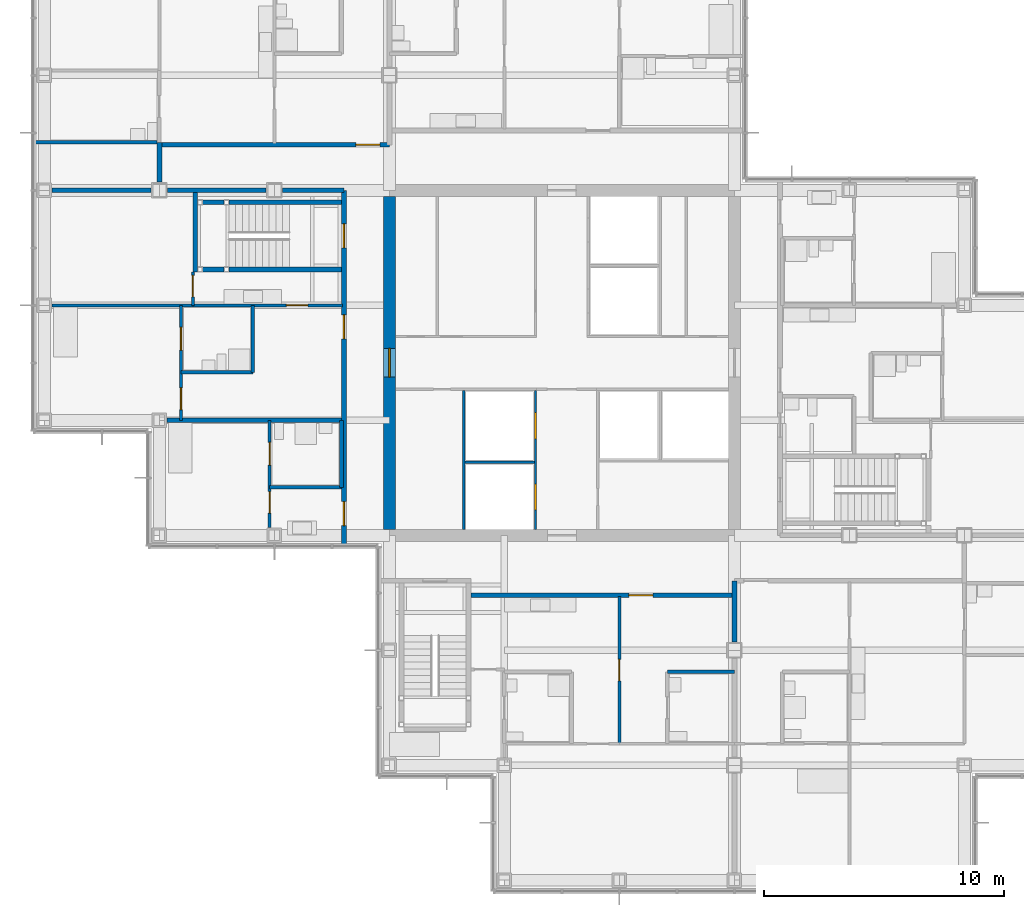
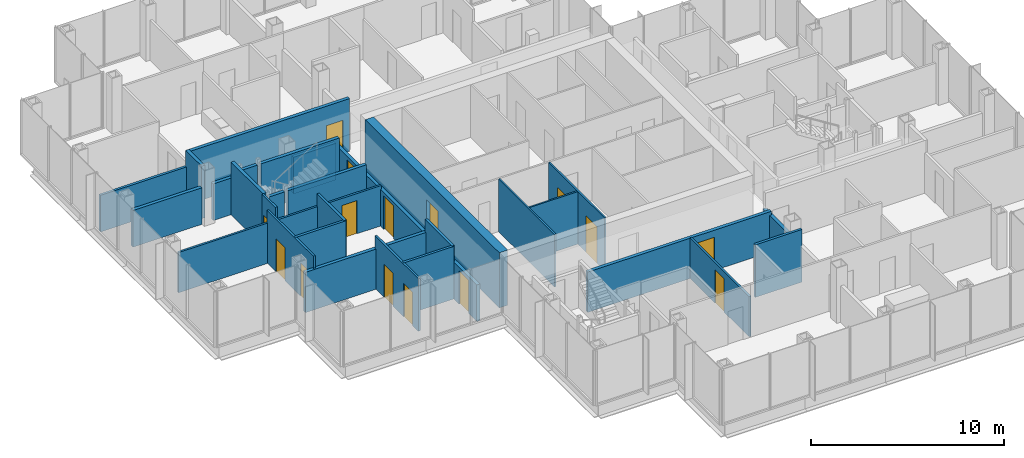
# One storey, part 13 of 19: 30 walls, 15 doors, 15 openings.
"""IFC4 building model written with IfcOpenShell, lengths in metres."""

from ifc_helpers import new_model, si_unit, direction, frame, frame_2d, origin, place, context, subcontext, project, spatial, rectangle, extrude, material, layer, layer_set, type_object, element, fill, save


model = new_model("IFC4")

# Units and contexts
model_context = context("Model", 3, precision=1e-05, world=origin(), true_north=direction((0.0, 1.0)))
body_context = subcontext(model_context, "Body", "Model", "MODEL_VIEW")
ifc_project = project(units=[si_unit("LENGTHUNIT", "METRE"), si_unit("AREAUNIT", "SQUARE_METRE"), si_unit("VOLUMEUNIT", "CUBIC_METRE"), si_unit("PLANEANGLEUNIT", "RADIAN"), si_unit("MASSUNIT", "GRAM", prefix="KILO")], contexts=[model_context])

# Site, building, storey
site_placement = place(None, origin())
site = spatial("IfcSite", under=ifc_project, at=site_placement, CompositionType="ELEMENT")
building_placement = place(site_placement, origin())
building = spatial("IfcBuilding", under=site, at=building_placement, Name="Kvirike Care Tower", CompositionType="ELEMENT")
storey_placement = place(building_placement, frame((0.0, 0.0, 129.5)))
storey = spatial("IfcBuildingStorey", under=building, at=storey_placement, Name="L35", CompositionType="ELEMENT", Elevation=129.5)

# Walls
ifc_material_1 = material(Name="Moisture-resistant board partition", Category="gypsum")
ifc_layer_1 = layer(ifc_material_1, 0.14990234375)
ifc_layer_set_1 = layer_set([ifc_layer_1], Name="BATHROOM WALL 150")
wall_type_1 = type_object("IfcWallType", Name="BATHROOM WALL 150", PredefinedType="PARTITIONING", material=ifc_layer_set_1)
wall_1_placement = place(storey_placement, frame((5.699951171875, 35.60009765625, 0.0), z_axis=(0.0, 0.0, 1.0), x_axis=(1.0, 0.0, 0.0)))
element("IfcWall", 1, at=wall_1_placement, inside=storey, type_object=wall_type_1, Name="Bathroom Wall 150 L35", PredefinedType="PARTITIONING", context=body_context, shape_type="SweptSolid", body=[
    extrude(rectangle(XDim=3.0, YDim=0.14990234375, at=frame_2d((1.5, 0.0))), origin(), (0.0, 0.0, 1.0), 3.330078125),
])
wall_2_placement = place(storey_placement, frame((8.699951171875, 38.39990234375, 0.0), z_axis=(0.0, 0.0, 1.0), x_axis=(0.0, -1.0, 0.0)))
element("IfcWall", 2, at=wall_2_placement, inside=storey, type_object=wall_type_1, Name="Bathroom Wall 150 L35", PredefinedType="PARTITIONING", context=body_context, shape_type="SweptSolid", body=[
    extrude(rectangle(XDim=2.7998046875, YDim=0.14990234375, at=frame_2d((1.39990234375, 0.0))), origin(), (0.0, 0.0, 1.0), 3.330078125),
])
wall_3_placement = place(storey_placement, frame((9.39990234375, 30.800048828125, 0.0), z_axis=(0.0, 0.0, 1.0), x_axis=(1.0, 0.0, 0.0)))
element("IfcWall", 3, at=wall_3_placement, inside=storey, type_object=wall_type_1, Name="Bathroom Wall 150 L35", PredefinedType="PARTITIONING", context=body_context, shape_type="SweptSolid", body=[
    extrude(rectangle(XDim=3.0, YDim=0.14990234375, at=frame_2d((1.5, 0.0))), origin(), (0.0, 0.0, 1.0), 3.330078125),
])
for number, where, z_axis, x_axis, name in (
    (4, (12.39990234375, 33.60009765625, 0.0), (0.0, 0.0, 1.0), (0.0, -1.0, 0.0), "Bathroom Wall 150 L35"),
    (5, (26.0, 23.10009765625, 0.0), (0.0, 0.0, 1.0), (1.0, 0.0, 0.0), "Bathroom Wall 150 L35"),
):
    element("IfcWall", number, at=place(storey_placement, frame(where, z_axis=z_axis, x_axis=x_axis)), inside=storey, type_object=wall_type_1, Name=name, PredefinedType="PARTITIONING", context=body_context, shape_type="SweptSolid", body=[
        extrude(rectangle(XDim=2.800048828125, YDim=0.14990234375, at=frame_2d((1.39990234375, 0.0))), origin(), (0.0, 0.0, 1.0), 3.330078125),
    ])
wall_4_placement = place(storey_placement, frame((4.699951171875, 45.199951171875, 0.0), z_axis=(0.0, 0.0, 1.0), x_axis=(-1.0, 0.0, 0.0)))
element("IfcWall", 6, at=wall_4_placement, inside=storey, type_object=wall_type_1, Name="Bathroom Wall 150 L35", PredefinedType="PARTITIONING", context=body_context, shape_type="SweptSolid", body=[
    extrude(rectangle(XDim=5.139892578125, YDim=0.14990234375, at=frame_2d((2.56982421875, 0.0))), origin(), (0.0, 0.0, 1.0), 2.320068359375),
])

# Wall, opening, door
ifc_material_2 = material(Name="Concrete C50/60", Category="concrete")
ifc_layer_2 = layer(ifc_material_2, 0.5)
ifc_layer_set_2 = layer_set([ifc_layer_2], Name="CORE WALL 500 C50-60")
wall_type_2 = type_object("IfcWallType", Name="CORE WALL 500 C50-60", PredefinedType="SHEAR", material=ifc_layer_set_2)
wall_5_placement = place(storey_placement, frame((14.39990234375, 42.949951171875, -0.169921875), z_axis=(0.0, 0.0, 1.0), x_axis=(0.0, -1.0, 0.0)))
wall_5 = element("IfcWall", 7, at=wall_5_placement, inside=storey, type_object=wall_type_2, Name="Core wall W L35", PredefinedType="SHEAR", context=body_context, shape_type="SweptSolid", body=[
    extrude(rectangle(XDim=13.89990234375, YDim=0.5, at=frame_2d((6.949951171875, 0.0))), origin(), (0.0, 0.0, 1.0), 3.5),
])
opening_1_placement = place(wall_5_placement, frame((6.35009765625, 0.0, 0.169921875)))
opening_1 = element("IfcOpeningElement", 8, at=opening_1_placement, cuts=wall_5, Name="Opening 35-057", PredefinedType="OPENING", context=body_context, shape_type="SweptSolid", body=[
    extrude(rectangle(XDim=1.199951171875, YDim=2.10009765625, at=frame_2d((0.60009765625, 1.050048828125))), frame((0.0, 0.260498046875, 0.0), z_axis=(0.0, -1.0, 0.0), x_axis=(1.0, 0.0, 0.0)), (0.0, 0.0, 1.0), 0.52099609375),
])
ifc_material_3 = material(Name="Timber door set", Category="wood")
door_type_1 = type_object("IfcDoorType", Name="CORE DOOR 1200", OperationType="SINGLE_SWING_LEFT", PredefinedType="DOOR", material=ifc_material_3)
door_1_placement = place(opening_1_placement, origin())
door_1 = element("IfcDoor", 9, at=door_1_placement, inside=storey, type_object=door_type_1, Name="Core door W L35", OperationType="SINGLE_SWING_LEFT", OverallHeight=2.10009765625, OverallWidth=1.199951171875, PredefinedType="DOOR", context=body_context, shape_type="SweptSolid", body=[
    extrude(rectangle(XDim=1.199951171875, YDim=2.10009765625, at=frame_2d((0.60009765625, 1.050048828125))), frame((0.0, 0.02685546875, 0.0), z_axis=(0.0, -1.0, 0.0), x_axis=(1.0, 0.0, 0.0)), (0.0, 0.0, 1.0), 0.053955078125),
])
fill(opening_1, door_1)

# Wall, openings, doors
ifc_material_4 = material(Name="Plasterboard corridor wall", Category="gypsum")
ifc_layer_3 = layer(ifc_material_4, 0.199951171875)
ifc_layer_set_3 = layer_set([ifc_layer_3], Name="CORRIDOR WALL 200")
wall_type_3 = type_object("IfcWallType", Name="CORRIDOR WALL 200", PredefinedType="PARTITIONING", material=ifc_layer_set_3)
wall_6_placement = place(storey_placement, frame((12.5, 43.199951171875, 0.0), z_axis=(0.0, 0.0, 1.0), x_axis=(0.0, -1.0, 0.0)))
wall_6 = element("IfcWall", 10, at=wall_6_placement, inside=storey, type_object=wall_type_3, Name="Corridor Wall 200 L35", PredefinedType="PARTITIONING", context=body_context, shape_type="SweptSolid", body=[
    extrude(rectangle(XDim=14.83984375, YDim=0.199951171875, at=frame_2d((7.419921875, 0.0))), origin(), (0.0, 0.0, 1.0), 2.320068359375),
])
opening_2_placement = place(wall_6_placement, frame((1.39990234375, 0.0, 0.0)))
opening_2 = element("IfcOpeningElement", 11, at=opening_2_placement, cuts=wall_6, Name="Opening 35-007", PredefinedType="OPENING", context=body_context, shape_type="SweptSolid", body=[
    extrude(rectangle(XDim=1.0, YDim=2.10009765625, at=frame_2d((0.5, 1.050048828125))), frame((0.0, 0.110595703125, 0.0), z_axis=(0.0, -1.0, 0.0), x_axis=(1.0, 0.0, 0.0)), (0.0, 0.0, 1.0), 0.220947265625),
])
opening_3_placement = place(wall_6_placement, frame((5.199951171875, 0.0, 0.0)))
opening_3 = element("IfcOpeningElement", 12, at=opening_3_placement, cuts=wall_6, Name="Opening 35-008", PredefinedType="OPENING", context=body_context, shape_type="SweptSolid", body=[
    extrude(rectangle(XDim=1.0, YDim=2.10009765625, at=frame_2d((0.5, 1.050048828125))), frame((0.0, 0.110595703125, 0.0), z_axis=(0.0, -1.0, 0.0), x_axis=(1.0, 0.0, 0.0)), (0.0, 0.0, 1.0), 0.220947265625),
])
opening_4_placement = place(wall_6_placement, frame((13.0, 0.0, 0.0)))
opening_4 = element("IfcOpeningElement", 13, at=opening_4_placement, cuts=wall_6, Name="Opening 35-009", PredefinedType="OPENING", context=body_context, shape_type="SweptSolid", body=[
    extrude(rectangle(XDim=1.0, YDim=2.10009765625, at=frame_2d((0.5, 1.050048828125))), frame((0.0, 0.110595703125, 0.0), z_axis=(0.0, -1.0, 0.0), x_axis=(1.0, 0.0, 0.0)), (0.0, 0.0, 1.0), 0.220947265625),
])
ifc_material_5 = material(Name="Timber door set", Category="wood")
door_type_2 = type_object("IfcDoorType", Name="FLAT ENTRANCE DOOR 1000", OperationType="SINGLE_SWING_LEFT", PredefinedType="DOOR", material=ifc_material_5)
door_2_placement = place(opening_3_placement, frame((1.0, 0.0, 0.0), z_axis=(0.0, 0.0, 1.0), x_axis=(-1.0, 0.0, 0.0)))
door_2 = element("IfcDoor", 14, at=door_2_placement, inside=storey, type_object=door_type_2, Name="Assisted living suite entrance", OperationType="SINGLE_SWING_LEFT", OverallHeight=2.10009765625, OverallWidth=1.0, PredefinedType="DOOR", context=body_context, shape_type="SweptSolid", body=[
    extrude(rectangle(XDim=1.0, YDim=2.10009765625, at=frame_2d((0.5, 1.050048828125))), frame((0.0, 0.02685546875, 0.0), z_axis=(0.0, -1.0, 0.0), x_axis=(1.0, 0.0, 0.0)), (0.0, 0.0, 1.0), 0.053955078125),
])
fill(opening_3, door_2)
door_3_placement = place(opening_4_placement, frame((1.0, 0.0, 0.0), z_axis=(0.0, 0.0, 1.0), x_axis=(-1.0, 0.0, 0.0)))
door_3 = element("IfcDoor", 15, at=door_3_placement, inside=storey, type_object=door_type_2, Name="Assisted living suite entrance", OperationType="SINGLE_SWING_RIGHT", OverallHeight=2.10009765625, OverallWidth=1.0, PredefinedType="DOOR", context=body_context, shape_type="SweptSolid", body=[
    extrude(rectangle(XDim=1.0, YDim=2.10009765625, at=frame_2d((0.5, 1.050048828125))), frame((0.0, 0.02685546875, 0.0), z_axis=(0.0, -1.0, 0.0), x_axis=(1.0, 0.0, 0.0)), (0.0, 0.0, 1.0), 0.053955078125),
])
fill(opening_4, door_3)
ifc_material_6 = material(Name="Timber door set", Category="wood")
door_type_3 = type_object("IfcDoorType", Name="STAIR DOOR 1000", OperationType="SINGLE_SWING_LEFT", PredefinedType="DOOR", material=ifc_material_6)
door_4_placement = place(opening_2_placement, frame((1.0, 0.0, 0.0), z_axis=(0.0, 0.0, 1.0), x_axis=(-1.0, 0.0, 0.0)))
door_4 = element("IfcDoor", 16, at=door_4_placement, inside=storey, type_object=door_type_3, Name="Stair 1 door", OperationType="SINGLE_SWING_LEFT", OverallHeight=2.10009765625, OverallWidth=1.0, PredefinedType="DOOR", context=body_context, shape_type="SweptSolid", body=[
    extrude(rectangle(XDim=1.0, YDim=2.10009765625, at=frame_2d((0.5, 1.050048828125))), frame((0.0, 0.031982421875, 0.0), z_axis=(0.0, -1.0, 0.0), x_axis=(1.0, 0.0, 0.0)), (0.0, 0.0, 1.0), 0.06396484375),
])
fill(opening_2, door_4)

# Wall, opening, door
wall_7_placement = place(storey_placement, frame((14.39990234375, 45.10009765625, 0.0), z_axis=(0.0, 0.0, 1.0), x_axis=(-1.0, 0.0, 0.0)))
wall_7 = element("IfcWall", 17, at=wall_7_placement, inside=storey, type_object=wall_type_3, Name="Corridor Wall 200 L35", PredefinedType="PARTITIONING", context=body_context, shape_type="SweptSolid", body=[
    extrude(rectangle(XDim=9.599853515625, YDim=0.199951171875, at=frame_2d((4.7998046875, 0.0))), origin(), (0.0, 0.0, 1.0), 3.330078125),
])
opening_5_placement = place(wall_7_placement, frame((0.39990234375, 0.0, 0.0)))
opening_5 = element("IfcOpeningElement", 18, at=opening_5_placement, cuts=wall_7, Name="Opening 35-015", PredefinedType="OPENING", context=body_context, shape_type="SweptSolid", body=[
    extrude(rectangle(XDim=1.0, YDim=2.10009765625, at=frame_2d((0.5, 1.050048828125))), frame((0.0, 0.110595703125, 0.0), z_axis=(0.0, -1.0, 0.0), x_axis=(1.0, 0.0, 0.0)), (0.0, 0.0, 1.0), 0.220947265625),
])
door_5_placement = place(opening_5_placement, frame((1.0, 0.0, 0.0), z_axis=(0.0, 0.0, 1.0), x_axis=(-1.0, 0.0, 0.0)))
door_5 = element("IfcDoor", 19, at=door_5_placement, inside=storey, type_object=door_type_2, Name="Assisted living suite for couples entrance", OperationType="SINGLE_SWING_LEFT", OverallHeight=2.10009765625, OverallWidth=1.0, PredefinedType="DOOR", context=body_context, shape_type="SweptSolid", body=[
    extrude(rectangle(XDim=1.0, YDim=2.10009765625, at=frame_2d((0.5, 1.050048828125))), frame((0.0, 0.02685546875, 0.0), z_axis=(0.0, -1.0, 0.0), x_axis=(1.0, 0.0, 0.0)), (0.0, 0.0, 1.0), 0.053955078125),
])
fill(opening_5, door_5)

# Wall
wall_8_placement = place(storey_placement, frame((4.800048828125, 45.199951171875, 0.0), z_axis=(0.0, 0.0, 1.0), x_axis=(0.0, -1.0, 0.0)))
element("IfcWall", 20, at=wall_8_placement, inside=storey, type_object=wall_type_3, Name="Corridor Wall 200 L35", PredefinedType="PARTITIONING", context=body_context, shape_type="SweptSolid", body=[
    extrude(rectangle(XDim=1.655029296875, YDim=0.199951171875, at=frame_2d((0.82763671875, 0.0))), origin(), (0.0, 0.0, 1.0), 3.330078125),
])

# Wall, opening, door
wall_9_placement = place(storey_placement, frame((17.800048828125, 26.300048828125, 0.0), z_axis=(0.0, 0.0, 1.0), x_axis=(1.0, 0.0, 0.0)))
wall_9 = element("IfcWall", 21, at=wall_9_placement, inside=storey, type_object=wall_type_3, Name="Corridor Wall 200 L35", PredefinedType="PARTITIONING", context=body_context, shape_type="SweptSolid", body=[
    extrude(rectangle(XDim=11.0, YDim=0.199951171875, at=frame_2d((5.5, 0.0))), origin(), (0.0, 0.0, 1.0), 2.550048828125),
])
opening_6_placement = place(wall_9_placement, frame((6.60009765625, 0.0, 0.0)))
opening_6 = element("IfcOpeningElement", 22, at=opening_6_placement, cuts=wall_9, Name="Opening 35-022", PredefinedType="OPENING", context=body_context, shape_type="SweptSolid", body=[
    extrude(rectangle(XDim=1.0, YDim=2.10009765625, at=frame_2d((0.5, 1.050048828125))), frame((0.0, 0.110595703125, 0.0), z_axis=(0.0, -1.0, 0.0), x_axis=(1.0, 0.0, 0.0)), (0.0, 0.0, 1.0), 0.220947265625),
])
door_6_placement = place(opening_6_placement, frame((1.0, 0.0, 0.0), z_axis=(0.0, 0.0, 1.0), x_axis=(-1.0, 0.0, 0.0)))
door_6 = element("IfcDoor", 23, at=door_6_placement, inside=storey, type_object=door_type_2, Name="Assisted living suite for couples entrance", OperationType="SINGLE_SWING_LEFT", OverallHeight=2.10009765625, OverallWidth=1.0, PredefinedType="DOOR", context=body_context, shape_type="SweptSolid", body=[
    extrude(rectangle(XDim=1.0, YDim=2.10009765625, at=frame_2d((0.5, 1.050048828125))), frame((0.0, 0.02685546875, 0.0), z_axis=(0.0, -1.0, 0.0), x_axis=(1.0, 0.0, 0.0)), (0.0, 0.0, 1.0), 0.053955078125),
])
fill(opening_6, door_6)

ifc_material_7 = material(Name="Plasterboard partition", Category="gypsum")
ifc_layer_4 = layer(ifc_material_7, 0.1201171875)
ifc_layer_set_4 = layer_set([ifc_layer_4], Name="PARTITION 120")
wall_type_4 = type_object("IfcWallType", Name="PARTITION 120", PredefinedType="PARTITIONING", material=ifc_layer_set_4)
wall_10_placement = place(storey_placement, frame((6.199951171875, 38.39990234375, 0.0), z_axis=(0.0, 0.0, 1.0), x_axis=(1.0, 0.0, 0.0)))
wall_10 = element("IfcWall", 24, at=wall_10_placement, inside=storey, type_object=wall_type_4, Name="Partition 120 L35", PredefinedType="PARTITIONING", context=body_context, shape_type="SweptSolid", body=[
    extrude(rectangle(XDim=6.25, YDim=0.1201171875, at=frame_2d((3.125, 0.0))), origin(), (0.0, 0.0, 1.0), 2.550048828125),
])
opening_7_placement = place(wall_10_placement, frame((3.89990234375, 0.0, 0.0)))
opening_7 = element("IfcOpeningElement", 25, at=opening_7_placement, cuts=wall_10, Name="Opening 35-001", PredefinedType="OPENING", context=body_context, shape_type="SweptSolid", body=[
    extrude(rectangle(XDim=0.89990234375, YDim=2.10009765625, at=frame_2d((0.449951171875, 1.050048828125))), frame((0.0, 0.070556640625, 0.0), z_axis=(0.0, -1.0, 0.0), x_axis=(1.0, 0.0, 0.0)), (0.0, 0.0, 1.0), 0.14111328125),
])
ifc_material_8 = material(Name="Timber door set", Category="wood")
door_type_4 = type_object("IfcDoorType", Name="INTERNAL DOOR 900", OperationType="SINGLE_SWING_LEFT", PredefinedType="DOOR", material=ifc_material_8)
door_7_placement = place(opening_7_placement, origin())
door_7 = element("IfcDoor", 26, at=door_7_placement, inside=storey, type_object=door_type_4, Name="Hall door", OperationType="SINGLE_SWING_LEFT", OverallHeight=2.10009765625, OverallWidth=0.89990234375, PredefinedType="DOOR", context=body_context, shape_type="SweptSolid", body=[
    extrude(rectangle(XDim=0.89990234375, YDim=2.10009765625, at=frame_2d((0.449951171875, 1.050048828125))), frame((0.0, 0.02197265625, 0.0), z_axis=(0.0, -1.0, 0.0), x_axis=(1.0, 0.0, 0.0)), (0.0, 0.0, 1.0), 0.0439453125),
])
fill(opening_7, door_7)

wall_11_placement = place(storey_placement, frame((6.199951171875, 39.800048828125, 0.0), z_axis=(0.0, 0.0, 1.0), x_axis=(0.0, -1.0, 0.0)))
wall_11 = element("IfcWall", 27, at=wall_11_placement, inside=storey, type_object=wall_type_4, Name="Partition 120 L35", PredefinedType="PARTITIONING", context=body_context, shape_type="SweptSolid", body=[
    extrude(rectangle(XDim=1.400146484375, YDim=0.1201171875, at=frame_2d((0.7001953125, 0.0))), origin(), (0.0, 0.0, 1.0), 3.330078125),
])
opening_8_placement = place(wall_11_placement, frame((0.14990234375, 0.0, 0.0)))
opening_8 = element("IfcOpeningElement", 28, at=opening_8_placement, cuts=wall_11, Name="Opening 35-002", PredefinedType="OPENING", context=body_context, shape_type="SweptSolid", body=[
    extrude(rectangle(XDim=0.89990234375, YDim=2.10009765625, at=frame_2d((0.449951171875, 1.050048828125))), frame((0.0, 0.070556640625, 0.0), z_axis=(0.0, -1.0, 0.0), x_axis=(1.0, 0.0, 0.0)), (0.0, 0.0, 1.0), 0.14111328125),
])
door_8_placement = place(opening_8_placement, origin())
door_8 = element("IfcDoor", 29, at=door_8_placement, inside=storey, type_object=door_type_4, Name="Suite sitting room door", OperationType="SINGLE_SWING_RIGHT", OverallHeight=2.10009765625, OverallWidth=0.89990234375, PredefinedType="DOOR", context=body_context, shape_type="SweptSolid", body=[
    extrude(rectangle(XDim=0.89990234375, YDim=2.10009765625, at=frame_2d((0.449951171875, 1.050048828125))), frame((0.0, 0.02197265625, 0.0), z_axis=(0.0, -1.0, 0.0), x_axis=(1.0, 0.0, 0.0)), (0.0, 0.0, 1.0), 0.0439453125),
])
fill(opening_8, door_8)

# Wall, openings, doors
wall_12_placement = place(storey_placement, frame((5.699951171875, 38.39990234375, 0.0), z_axis=(0.0, 0.0, 1.0), x_axis=(0.0, -1.0, 0.0)))
wall_12 = element("IfcWall", 30, at=wall_12_placement, inside=storey, type_object=wall_type_4, Name="Partition 120 L35", PredefinedType="PARTITIONING", context=body_context, shape_type="SweptSolid", body=[
    extrude(rectangle(XDim=4.7998046875, YDim=0.1201171875, at=frame_2d((2.39990234375, 0.0))), origin(), (0.0, 0.0, 1.0), 3.330078125),
])
opening_9_placement = place(wall_12_placement, frame((3.449951171875, 0.0, 0.0)))
opening_9 = element("IfcOpeningElement", 31, at=opening_9_placement, cuts=wall_12, Name="Opening 35-003", PredefinedType="OPENING", context=body_context, shape_type="SweptSolid", body=[
    extrude(rectangle(XDim=0.89990234375, YDim=2.10009765625, at=frame_2d((0.449951171875, 1.050048828125))), frame((0.0, 0.070556640625, 0.0), z_axis=(0.0, -1.0, 0.0), x_axis=(1.0, 0.0, 0.0)), (0.0, 0.0, 1.0), 0.14111328125),
])
opening_10_placement = place(wall_12_placement, frame((0.925048828125, 0.0, 0.0)))
opening_10 = element("IfcOpeningElement", 32, at=opening_10_placement, cuts=wall_12, Name="Opening 35-004", PredefinedType="OPENING", context=body_context, shape_type="SweptSolid", body=[
    extrude(rectangle(XDim=0.949951171875, YDim=2.10009765625, at=frame_2d((0.47509765625, 1.050048828125))), frame((0.0, 0.070556640625, 0.0), z_axis=(0.0, -1.0, 0.0), x_axis=(1.0, 0.0, 0.0)), (0.0, 0.0, 1.0), 0.14111328125),
])
ifc_material_9 = material(Name="Timber door set", Category="wood")
door_type_5 = type_object("IfcDoorType", Name="EN-SUITE SLIDING DOOR 950", OperationType="SLIDING_TO_LEFT", PredefinedType="DOOR", material=ifc_material_9)
door_9_placement = place(opening_10_placement, origin())
door_9 = element("IfcDoor", 33, at=door_9_placement, inside=storey, type_object=door_type_5, Name="En-suite door", OperationType="SLIDING_TO_RIGHT", OverallHeight=2.10009765625, OverallWidth=0.949951171875, PredefinedType="DOOR", context=body_context, shape_type="SweptSolid", body=[
    extrude(rectangle(XDim=0.949951171875, YDim=2.10009765625, at=frame_2d((0.47509765625, 1.050048828125))), frame((0.0, 0.02197265625, 0.0), z_axis=(0.0, -1.0, 0.0), x_axis=(1.0, 0.0, 0.0)), (0.0, 0.0, 1.0), 0.0439453125),
])
fill(opening_10, door_9)
door_10_placement = place(opening_9_placement, origin())
door_10 = element("IfcDoor", 34, at=door_10_placement, inside=storey, type_object=door_type_4, Name="Assisted living suite door", OperationType="SINGLE_SWING_LEFT", OverallHeight=2.10009765625, OverallWidth=0.89990234375, PredefinedType="DOOR", context=body_context, shape_type="SweptSolid", body=[
    extrude(rectangle(XDim=0.89990234375, YDim=2.10009765625, at=frame_2d((0.449951171875, 1.050048828125))), frame((0.0, 0.02197265625, 0.0), z_axis=(0.0, -1.0, 0.0), x_axis=(1.0, 0.0, 0.0)), (0.0, 0.0, 1.0), 0.0439453125),
])
fill(opening_9, door_10)

# Wall
wall_13_placement = place(storey_placement, frame((0.320068359375, 38.39990234375, 0.0), z_axis=(0.0, 0.0, 1.0), x_axis=(1.0, 0.0, 0.0)))
element("IfcWall", 35, at=wall_13_placement, inside=storey, type_object=wall_type_4, Name="Partition 120 L35", PredefinedType="PARTITIONING", context=body_context, shape_type="SweptSolid", body=[
    extrude(rectangle(XDim=5.8798828125, YDim=0.1201171875, at=frame_2d((2.93994140625, 0.0))), origin(), (0.0, 0.0, 1.0), 2.550048828125),
])

# Wall, openings, doors
wall_14_placement = place(storey_placement, frame((9.39990234375, 33.60009765625, 0.0), z_axis=(0.0, 0.0, 1.0), x_axis=(0.0, -1.0, 0.0)))
wall_14 = element("IfcWall", 36, at=wall_14_placement, inside=storey, type_object=wall_type_4, Name="Partition 120 L35", PredefinedType="PARTITIONING", context=body_context, shape_type="SweptSolid", body=[
    extrude(rectangle(XDim=4.47998046875, YDim=0.1201171875, at=frame_2d((2.239990234375, 0.0))), origin(), (0.0, 0.0, 1.0), 3.330078125),
])
opening_11_placement = place(wall_14_placement, frame((2.97509765625, 0.0, 0.0)))
opening_11 = element("IfcOpeningElement", 37, at=opening_11_placement, cuts=wall_14, Name="Opening 35-005", PredefinedType="OPENING", context=body_context, shape_type="SweptSolid", body=[
    extrude(rectangle(XDim=0.89990234375, YDim=2.10009765625, at=frame_2d((0.449951171875, 1.050048828125))), frame((0.0, 0.070556640625, 0.0), z_axis=(0.0, -1.0, 0.0), x_axis=(1.0, 0.0, 0.0)), (0.0, 0.0, 1.0), 0.14111328125),
])
opening_12_placement = place(wall_14_placement, frame((0.925048828125, 0.0, 0.0)))
opening_12 = element("IfcOpeningElement", 38, at=opening_12_placement, cuts=wall_14, Name="Opening 35-006", PredefinedType="OPENING", context=body_context, shape_type="SweptSolid", body=[
    extrude(rectangle(XDim=0.949951171875, YDim=2.10009765625, at=frame_2d((0.47509765625, 1.050048828125))), frame((0.0, 0.070556640625, 0.0), z_axis=(0.0, -1.0, 0.0), x_axis=(1.0, 0.0, 0.0)), (0.0, 0.0, 1.0), 0.14111328125),
])
door_11_placement = place(opening_12_placement, origin())
door_11 = element("IfcDoor", 39, at=door_11_placement, inside=storey, type_object=door_type_5, Name="En-suite door", OperationType="SLIDING_TO_LEFT", OverallHeight=2.10009765625, OverallWidth=0.949951171875, PredefinedType="DOOR", context=body_context, shape_type="SweptSolid", body=[
    extrude(rectangle(XDim=0.949951171875, YDim=2.10009765625, at=frame_2d((0.47509765625, 1.050048828125))), frame((0.0, 0.02197265625, 0.0), z_axis=(0.0, -1.0, 0.0), x_axis=(1.0, 0.0, 0.0)), (0.0, 0.0, 1.0), 0.0439453125),
])
fill(opening_12, door_11)
door_12_placement = place(opening_11_placement, origin())
door_12 = element("IfcDoor", 40, at=door_12_placement, inside=storey, type_object=door_type_4, Name="Assisted living suite door", OperationType="SINGLE_SWING_RIGHT", OverallHeight=2.10009765625, OverallWidth=0.89990234375, PredefinedType="DOOR", context=body_context, shape_type="SweptSolid", body=[
    extrude(rectangle(XDim=0.89990234375, YDim=2.10009765625, at=frame_2d((0.449951171875, 1.050048828125))), frame((0.0, 0.02197265625, 0.0), z_axis=(0.0, -1.0, 0.0), x_axis=(1.0, 0.0, 0.0)), (0.0, 0.0, 1.0), 0.0439453125),
])
fill(opening_11, door_12)

# Wall, opening, door
wall_15_placement = place(storey_placement, frame((24.0, 20.10009765625, 0.0), z_axis=(0.0, 0.0, 1.0), x_axis=(0.0, 1.0, 0.0)))
wall_15 = element("IfcWall", 41, at=wall_15_placement, inside=storey, type_object=wall_type_4, Name="Partition 120 L35", PredefinedType="PARTITIONING", context=body_context, shape_type="SweptSolid", body=[
    extrude(rectangle(XDim=6.14990234375, YDim=0.1201171875, at=frame_2d((3.074951171875, 0.0))), origin(), (0.0, 0.0, 1.0), 2.550048828125),
])
opening_13_placement = place(wall_15_placement, frame((2.625, 0.0, 0.0)))
opening_13 = element("IfcOpeningElement", 42, at=opening_13_placement, cuts=wall_15, Name="Opening 35-019", PredefinedType="OPENING", context=body_context, shape_type="SweptSolid", body=[
    extrude(rectangle(XDim=0.89990234375, YDim=2.10009765625, at=frame_2d((0.449951171875, 1.050048828125))), frame((0.0, 0.070556640625, 0.0), z_axis=(0.0, -1.0, 0.0), x_axis=(1.0, 0.0, 0.0)), (0.0, 0.0, 1.0), 0.14111328125),
])
door_13_placement = place(opening_13_placement, frame((0.89990234375, 0.0, 0.0), z_axis=(0.0, 0.0, 1.0), x_axis=(-1.0, 0.0, 0.0)))
door_13 = element("IfcDoor", 43, at=door_13_placement, inside=storey, type_object=door_type_4, Name="Hall door", OperationType="SINGLE_SWING_RIGHT", OverallHeight=2.10009765625, OverallWidth=0.89990234375, PredefinedType="DOOR", context=body_context, shape_type="SweptSolid", body=[
    extrude(rectangle(XDim=0.89990234375, YDim=2.10009765625, at=frame_2d((0.449951171875, 1.050048828125))), frame((0.0, 0.02197265625, 0.0), z_axis=(0.0, -1.0, 0.0), x_axis=(1.0, 0.0, 0.0)), (0.0, 0.0, 1.0), 0.0439453125),
])
fill(opening_13, door_13)

# Walls
ifc_material_10 = material(Name="Plasterboard party wall", Category="gypsum")
ifc_layer_5 = layer(ifc_material_10, 0.199951171875)
ifc_layer_set_5 = layer_set([ifc_layer_5], Name="PARTY WALL 200")
wall_type_5 = type_object("IfcWallType", Name="PARTY WALL 200", PredefinedType="PARTITIONING", material=ifc_layer_set_5)
wall_16_placement = place(storey_placement, frame((5.1201171875, 33.60009765625, 0.0), z_axis=(0.0, 0.0, 1.0), x_axis=(1.0, 0.0, 0.0)))
element("IfcWall", 44, at=wall_16_placement, inside=storey, type_object=wall_type_5, Name="Party Wall 200 L35", PredefinedType="PARTITIONING", context=body_context, shape_type="SweptSolid", body=[
    extrude(rectangle(XDim=7.27978515625, YDim=0.199951171875, at=frame_2d((3.639892578125, 0.0))), origin(), (0.0, 0.0, 1.0), 2.550048828125),
])
wall_17_placement = place(storey_placement, frame((12.5, 43.199951171875, 0.0), z_axis=(0.0, 0.0, 1.0), x_axis=(-1.0, 0.0, 0.0)))
element("IfcWall", 45, at=wall_17_placement, inside=storey, type_object=wall_type_5, Name="Party Wall 200 L35", PredefinedType="PARTITIONING", context=body_context, shape_type="SweptSolid", body=[
    extrude(rectangle(XDim=2.554931640625, YDim=0.199951171875, at=frame_2d((1.27734375, 0.0))), origin(), (0.0, 0.0, 1.0), 2.320068359375),
])
wall_18_placement = place(storey_placement, frame((9.2548828125, 43.199951171875, 0.0), z_axis=(0.0, 0.0, 1.0), x_axis=(-1.0, 0.0, 0.0)))
element("IfcWall", 46, at=wall_18_placement, inside=storey, type_object=wall_type_5, Name="Party Wall 200 L35", PredefinedType="PARTITIONING", context=body_context, shape_type="SweptSolid", body=[
    extrude(rectangle(XDim=4.10986328125, YDim=0.199951171875, at=frame_2d((2.054931640625, 0.0))), origin(), (0.0, 0.0, 1.0), 2.320068359375),
])
wall_19_placement = place(storey_placement, frame((4.455078125, 43.199951171875, 0.0), z_axis=(0.0, 0.0, 1.0), x_axis=(-1.0, 0.0, 0.0)))
element("IfcWall", 47, at=wall_19_placement, inside=storey, type_object=wall_type_5, Name="Party Wall 200 L35", PredefinedType="PARTITIONING", context=body_context, shape_type="SweptSolid", body=[
    extrude(rectangle(XDim=4.135009765625, YDim=0.199951171875, at=frame_2d((2.0673828125, 0.0))), origin(), (0.0, 0.0, 1.0), 2.320068359375),
])
wall_20_placement = place(storey_placement, frame((28.800048828125, 24.344970703125, 0.0), z_axis=(0.0, 0.0, 1.0), x_axis=(0.0, 1.0, 0.0)))
element("IfcWall", 48, at=wall_20_placement, inside=storey, type_object=wall_type_5, Name="Party Wall 200 L35", PredefinedType="PARTITIONING", context=body_context, shape_type="SweptSolid", body=[
    extrude(rectangle(XDim=2.554931640625, YDim=0.199951171875, at=frame_2d((1.27734375, 0.0))), origin(), (0.0, 0.0, 1.0), 2.320068359375),
])

# Wall, openings, doors
ifc_material_11 = material(Name="Gypsum shaft wall system", Category="gypsum")
ifc_layer_6 = layer(ifc_material_11, 0.10009765625)
ifc_layer_set_6 = layer_set([ifc_layer_6], Name="SHAFT WALL 100")
wall_type_6 = type_object("IfcWallType", Name="SHAFT WALL 100", PredefinedType="SOLIDWALL", material=ifc_layer_set_6)
wall_21_placement = place(storey_placement, frame((20.5, 29.050048828125, 0.0), z_axis=(0.0, 0.0, 1.0), x_axis=(0.0, 1.0, 0.0)))
wall_21 = element("IfcWall", 49, at=wall_21_placement, inside=storey, type_object=wall_type_6, Name="Shaft Wall 100 L35", PredefinedType="SOLIDWALL", context=body_context, shape_type="SweptSolid", body=[
    extrude(rectangle(XDim=5.800048828125, YDim=0.10009765625, at=frame_2d((2.89990234375, 0.0))), origin(), (0.0, 0.0, 1.0), 3.330078125),
])
opening_14_placement = place(wall_21_placement, frame((0.800048828125, 0.0, 0.0)))
opening_14 = element("IfcOpeningElement", 50, at=opening_14_placement, cuts=wall_21, Name="Opening 35-044", PredefinedType="OPENING", context=body_context, shape_type="SweptSolid", body=[
    extrude(rectangle(XDim=1.10009765625, YDim=2.300048828125, at=frame_2d((0.550048828125, 1.14990234375))), frame((0.0, 0.060546875, 0.0), z_axis=(0.0, -1.0, 0.0), x_axis=(1.0, 0.0, 0.0)), (0.0, 0.0, 1.0), 0.12109375),
])
opening_15_placement = place(wall_21_placement, frame((3.77490234375, 0.0, 0.0)))
opening_15 = element("IfcOpeningElement", 51, at=opening_15_placement, cuts=wall_21, Name="Opening 35-045", PredefinedType="OPENING", context=body_context, shape_type="SweptSolid", body=[
    extrude(rectangle(XDim=1.10009765625, YDim=2.300048828125, at=frame_2d((0.550048828125, 1.14990234375))), frame((0.0, 0.060546875, 0.0), z_axis=(0.0, -1.0, 0.0), x_axis=(1.0, 0.0, 0.0)), (0.0, 0.0, 1.0), 0.12109375),
])
ifc_material_12 = material(Name="Aluminium door frame", Category="aluminium")
door_type_6 = type_object("IfcDoorType", Name="FIRE-FIGHTING LIFT LANDING DOOR 1100", OperationType="SLIDING_TO_LEFT", PredefinedType="DOOR", material=ifc_material_12)
door_14_placement = place(opening_14_placement, origin())
door_14 = element("IfcDoor", 52, at=door_14_placement, inside=storey, type_object=door_type_6, Name="Lift FF1 landing door", OperationType="SLIDING_TO_LEFT", OverallHeight=2.300048828125, OverallWidth=1.10009765625, PredefinedType="DOOR", context=body_context, shape_type="SweptSolid", body=[
    extrude(rectangle(XDim=1.10009765625, YDim=2.300048828125, at=frame_2d((0.550048828125, 1.14990234375))), frame((0.0, 0.0498046875, 0.0), z_axis=(0.0, -1.0, 0.0), x_axis=(1.0, 0.0, 0.0)), (0.0, 0.0, 1.0), 0.099609375),
])
fill(opening_14, door_14)
door_15_placement = place(opening_15_placement, origin())
door_15 = element("IfcDoor", 53, at=door_15_placement, inside=storey, type_object=door_type_6, Name="Lift FF2 landing door", OperationType="SLIDING_TO_LEFT", OverallHeight=2.300048828125, OverallWidth=1.10009765625, PredefinedType="DOOR", context=body_context, shape_type="SweptSolid", body=[
    extrude(rectangle(XDim=1.10009765625, YDim=2.300048828125, at=frame_2d((0.550048828125, 1.14990234375))), frame((0.0, 0.0498046875, 0.0), z_axis=(0.0, -1.0, 0.0), x_axis=(1.0, 0.0, 0.0)), (0.0, 0.0, 1.0), 0.099609375),
])
fill(opening_15, door_15)

# Walls
wall_22_placement = place(storey_placement, frame((17.5, 29.050048828125, 0.0), z_axis=(0.0, 0.0, 1.0), x_axis=(0.0, 1.0, 0.0)))
element("IfcWall", 54, at=wall_22_placement, inside=storey, type_object=wall_type_6, Name="Shaft Wall 100 L35", PredefinedType="SOLIDWALL", context=body_context, shape_type="SweptSolid", body=[
    extrude(rectangle(XDim=5.800048828125, YDim=0.10009765625, at=frame_2d((2.89990234375, 0.0))), origin(), (0.0, 0.0, 1.0), 3.330078125),
])
wall_23_placement = place(storey_placement, frame((17.550048828125, 31.85009765625, 0.0), z_axis=(0.0, 0.0, 1.0), x_axis=(1.0, 0.0, 0.0)))
element("IfcWall", 55, at=wall_23_placement, inside=storey, type_object=wall_type_6, Name="Shaft Wall 100 L35", PredefinedType="SOLIDWALL", context=body_context, shape_type="SweptSolid", body=[
    extrude(rectangle(XDim=2.89990234375, YDim=0.10009765625, at=frame_2d((1.449951171875, 0.0))), origin(), (0.0, 0.0, 1.0), 3.330078125),
])
ifc_material_13 = material(Name="Concrete C40/50", Category="concrete")
ifc_layer_7 = layer(ifc_material_13, 0.199951171875)
ifc_layer_set_7 = layer_set([ifc_layer_7], Name="STAIR WALL 200")
wall_type_7 = type_object("IfcWallType", Name="STAIR WALL 200", PredefinedType="SOLIDWALL", material=ifc_layer_set_7)
wall_24_placement = place(storey_placement, frame((6.60009765625, 42.699951171875, 0.0), z_axis=(0.0, 0.0, 1.0), x_axis=(1.0, 0.0, 0.0)))
element("IfcWall", 56, at=wall_24_placement, inside=storey, type_object=wall_type_7, Name="Stair Wall 200 L35", PredefinedType="SOLIDWALL", context=body_context, shape_type="SweptSolid", body=[
    extrude(rectangle(XDim=0.89990234375, YDim=0.199951171875, at=frame_2d((0.449951171875, 0.0))), origin(), (0.0, 0.0, 1.0), 2.989990234375),
])
wall_25_placement = place(storey_placement, frame((7.699951171875, 42.699951171875, 0.0), z_axis=(0.0, 0.0, 1.0), x_axis=(1.0, 0.0, 0.0)))
element("IfcWall", 57, at=wall_25_placement, inside=storey, type_object=wall_type_7, Name="Stair Wall 200 L35", PredefinedType="SOLIDWALL", context=body_context, shape_type="SweptSolid", body=[
    extrude(rectangle(XDim=4.699951171875, YDim=0.199951171875, at=frame_2d((2.35009765625, 0.0))), origin(), (0.0, 0.0, 1.0), 2.989990234375),
])
wall_26_placement = place(storey_placement, frame((6.60009765625, 39.89990234375, 0.0), z_axis=(0.0, 0.0, 1.0), x_axis=(1.0, 0.0, 0.0)))
element("IfcWall", 58, at=wall_26_placement, inside=storey, type_object=wall_type_7, Name="Stair Wall 200 L35", PredefinedType="SOLIDWALL", context=body_context, shape_type="SweptSolid", body=[
    extrude(rectangle(XDim=0.89990234375, YDim=0.199951171875, at=frame_2d((0.449951171875, 0.0))), origin(), (0.0, 0.0, 1.0), 2.989990234375),
])
wall_27_placement = place(storey_placement, frame((7.699951171875, 39.89990234375, 0.0), z_axis=(0.0, 0.0, 1.0), x_axis=(1.0, 0.0, 0.0)))
element("IfcWall", 59, at=wall_27_placement, inside=storey, type_object=wall_type_7, Name="Stair Wall 200 L35", PredefinedType="SOLIDWALL", context=body_context, shape_type="SweptSolid", body=[
    extrude(rectangle(XDim=4.699951171875, YDim=0.199951171875, at=frame_2d((2.35009765625, 0.0))), origin(), (0.0, 0.0, 1.0), 2.989990234375),
])
wall_28_placement = place(storey_placement, frame((6.300048828125, 43.10009765625, 0.0), z_axis=(0.0, 0.0, 1.0), x_axis=(0.0, -1.0, 0.0)))
element("IfcWall", 60, at=wall_28_placement, inside=storey, type_object=wall_type_7, Name="Stair Wall 200 L35", PredefinedType="SOLIDWALL", context=body_context, shape_type="SweptSolid", body=[
    extrude(rectangle(XDim=3.300048828125, YDim=0.199951171875, at=frame_2d((1.64990234375, 0.0))), origin(), (0.0, 0.0, 1.0), 3.330078125),
])

save(model, "model.ifc")
